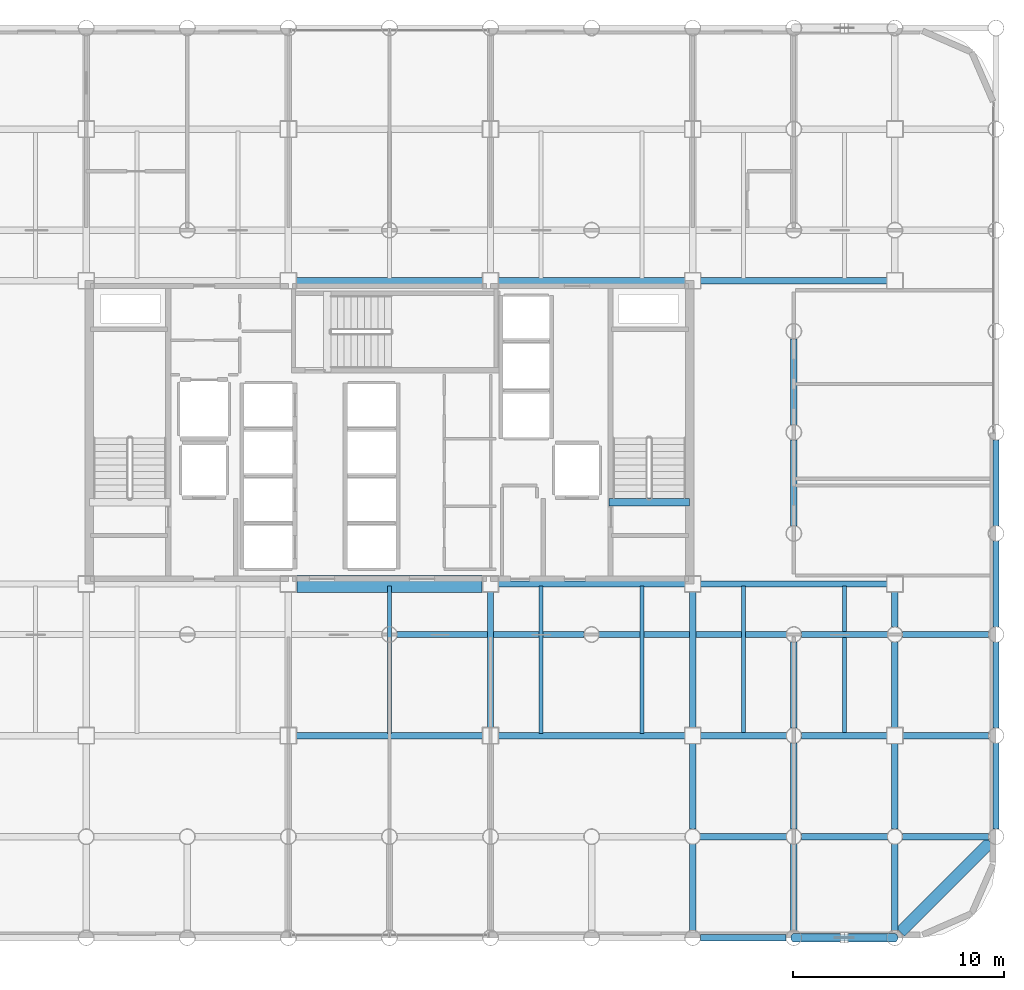
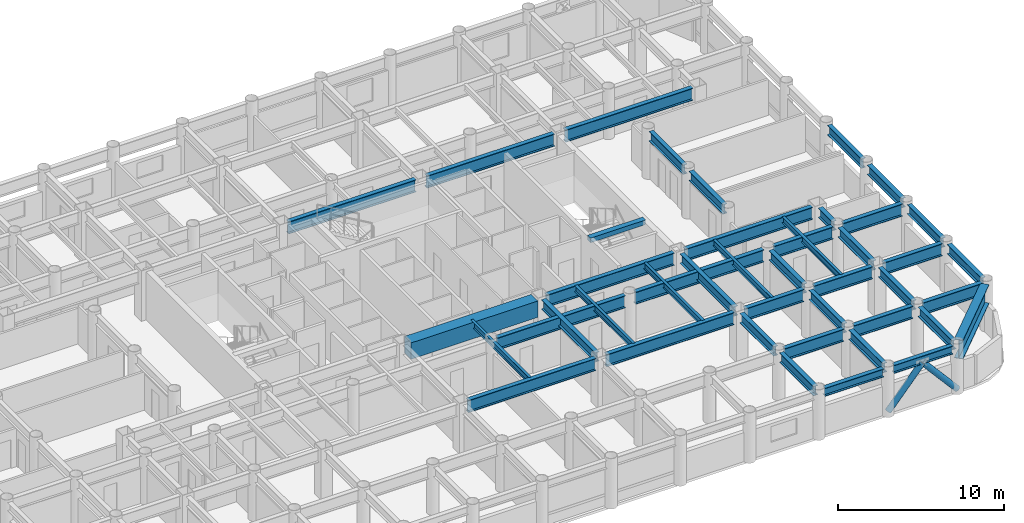
# One storey, part 7 of 21: 44 beams, 2 members.
"""IFC4 building model written with IfcOpenShell, lengths in metres."""

from ifc_helpers import new_model, si_unit, direction, frame, origin, origin_2d, place, context, subcontext, project, spatial, rectangle, hollow_circle, i_section, extrude, material, material_profile, profile_set, type_object, element, save


model = new_model("IFC4")

# Units and contexts
model_context = context("Model", 3, precision=1e-05, world=origin(), true_north=direction((0.0, 1.0)))
body_context = subcontext(model_context, "Body", "Model", "MODEL_VIEW")
ifc_project = project(units=[si_unit("LENGTHUNIT", "METRE"), si_unit("AREAUNIT", "SQUARE_METRE"), si_unit("VOLUMEUNIT", "CUBIC_METRE"), si_unit("PLANEANGLEUNIT", "RADIAN"), si_unit("MASSUNIT", "GRAM", prefix="KILO")], contexts=[model_context])

# Site, building, storey
site_placement = place(None, origin())
site = spatial("IfcSite", under=ifc_project, at=site_placement, CompositionType="ELEMENT")
building_placement = place(site_placement, origin())
building = spatial("IfcBuilding", under=site, at=building_placement, Name="Kallvorn Hotel Tower", CompositionType="ELEMENT")
storey_placement = place(building_placement, frame((0.0, 0.0, 52.199951171875)))
storey = spatial("IfcBuildingStorey", under=building, at=storey_placement, Name="L11", CompositionType="ELEMENT", Elevation=52.199951171875)

# Beams
ifc_material_1 = material(Name="Structural steel S355JR", Category="steel")
ifc_material_profile_1 = material_profile(ifc_material_1, i_section(OverallWidth=0.300048828125, OverallDepth=0.60009765625, WebThickness=0.015380859375, FlangeThickness=0.030029296875, at=origin_2d()), Name="HE 600 B")
ifc_profile_set_1 = profile_set([ifc_material_profile_1], Name="Structural steel S355JR")
beam_type_1 = type_object("IfcBeamType", Name="BM_HE600B", PredefinedType="SPANDREL", material=ifc_profile_set_1)
beam_1_placement = place(storey_placement, frame((14.77099609375, -24.0, 3.219970703125), z_axis=(1.0, 0.0, 0.0), x_axis=(0.0, 1.0, 0.0)))
element("IfcBeam", 1, at=beam_1_placement, inside=storey, type_object=beam_type_1, Name="L12 Perimeter Spandrel 160", PredefinedType="SPANDREL", context=body_context, shape_type="SweptSolid", body=[
    extrude(i_section(OverallWidth=0.300048828125, OverallDepth=0.60009765625, WebThickness=0.015380859375, FlangeThickness=0.030029296875, at=origin_2d()), origin(), (0.0, 0.0, 1.0), 4.05810546875),
])
beam_2_placement = place(storey_placement, frame((19.571044921875, -24.0, 3.219970703125), z_axis=(1.0, 0.0, 0.0), x_axis=(0.0, 1.0, 0.0)))
element("IfcBeam", 2, at=beam_2_placement, inside=storey, type_object=beam_type_1, Name="L12 Perimeter Spandrel 161", PredefinedType="SPANDREL", context=body_context, shape_type="SweptSolid", body=[
    extrude(i_section(OverallWidth=0.300048828125, OverallDepth=0.60009765625, WebThickness=0.015380859375, FlangeThickness=0.030029296875, at=origin_2d()), origin(), (0.0, 0.0, 1.0), 4.057861328125),
])
ifc_material_2 = material(Name="Structural steel S355JR", Category="steel")
ifc_material_profile_2 = material_profile(ifc_material_2, i_section(OverallWidth=0.300048828125, OverallDepth=0.699951171875, WebThickness=0.01708984375, FlangeThickness=0.031982421875, at=origin_2d()), Name="HE 700 B")
ifc_profile_set_2 = profile_set([ifc_material_profile_2], Name="Structural steel S355JR")
beam_type_2 = type_object("IfcBeamType", Name="BM_HE700B", PredefinedType="BEAM", material=ifc_profile_set_2)
beam_3_placement = place(storey_placement, frame((4.800048828125, -14.02490234375, 3.170166015625), z_axis=(0.0, 1.0, 0.0), x_axis=(-1.0, 0.0, 0.0)))
element("IfcBeam", 3, at=beam_3_placement, inside=storey, type_object=beam_type_2, Name="L12 Primary Y-Girder 116", PredefinedType="BEAM", context=body_context, shape_type="SweptSolid", body=[
    extrude(i_section(OverallWidth=0.300048828125, OverallDepth=0.699951171875, WebThickness=0.01708984375, FlangeThickness=0.031982421875, at=origin_2d()), origin(), (0.0, 0.0, 1.0), 6.449951171875),
])
beam_4_placement = place(storey_placement, frame((14.39990234375, -23.64404296875, 3.170166015625), z_axis=(0.0, 1.0, 0.0), x_axis=(-1.0, 0.0, 0.0)))
element("IfcBeam", 4, at=beam_4_placement, inside=storey, type_object=beam_type_2, Name="L12 Primary Y-Girder 122", PredefinedType="BEAM", context=body_context, shape_type="SweptSolid", body=[
    extrude(i_section(OverallWidth=0.300048828125, OverallDepth=0.699951171875, WebThickness=0.01708984375, FlangeThickness=0.031982421875, at=origin_2d()), origin(), (0.0, 0.0, 1.0), 4.088134765625),
])
beam_5_placement = place(storey_placement, frame((14.39990234375, -18.843994140625, 3.170166015625), z_axis=(0.0, 1.0, 0.0), x_axis=(-1.0, 0.0, 0.0)))
element("IfcBeam", 5, at=beam_5_placement, inside=storey, type_object=beam_type_2, Name="L12 Primary Y-Girder 123", PredefinedType="BEAM", context=body_context, shape_type="SweptSolid", body=[
    extrude(i_section(OverallWidth=0.300048828125, OverallDepth=0.699951171875, WebThickness=0.01708984375, FlangeThickness=0.031982421875, at=origin_2d()), origin(), (0.0, 0.0, 1.0), 4.069091796875),
])
beam_6_placement = place(storey_placement, frame((14.39990234375, -14.02490234375, 3.170166015625), z_axis=(0.0, 1.0, 0.0), x_axis=(-1.0, 0.0, 0.0)))
element("IfcBeam", 6, at=beam_6_placement, inside=storey, type_object=beam_type_2, Name="L12 Primary Y-Girder 124", PredefinedType="BEAM", context=body_context, shape_type="SweptSolid", body=[
    extrude(i_section(OverallWidth=0.300048828125, OverallDepth=0.699951171875, WebThickness=0.01708984375, FlangeThickness=0.031982421875, at=origin_2d()), origin(), (0.0, 0.0, 1.0), 6.449951171875),
])
beam_7_placement = place(storey_placement, frame((19.199951171875, -23.64404296875, 3.170166015625), z_axis=(0.0, 1.0, 0.0), x_axis=(-1.0, 0.0, 0.0)))
element("IfcBeam", 7, at=beam_7_placement, inside=storey, type_object=beam_type_2, Name="L12 Primary Y-Girder 127", PredefinedType="BEAM", context=body_context, shape_type="SweptSolid", body=[
    extrude(i_section(OverallWidth=0.300048828125, OverallDepth=0.699951171875, WebThickness=0.01708984375, FlangeThickness=0.031982421875, at=origin_2d()), origin(), (0.0, 0.0, 1.0), 4.088134765625),
])
for number, where, z_axis, x_axis, name in (
    (8, (19.199951171875, -18.843994140625, 3.170166015625), (0.0, 1.0, 0.0), (-1.0, 0.0, 0.0), "L12 Primary Y-Girder 128"),
    (9, (19.199951171875, -14.0439453125, 3.170166015625), (0.0, 1.0, 0.0), (-1.0, 0.0, 0.0), "L12 Primary Y-Girder 129"),
):
    element("IfcBeam", number, at=place(storey_placement, frame(where, z_axis=z_axis, x_axis=x_axis)), inside=storey, type_object=beam_type_2, Name=name, PredefinedType="BEAM", context=body_context, shape_type="SweptSolid", body=[
        extrude(i_section(OverallWidth=0.300048828125, OverallDepth=0.699951171875, WebThickness=0.01708984375, FlangeThickness=0.031982421875, at=origin_2d()), origin(), (0.0, 0.0, 1.0), 4.087890625),
    ])
for number, where, z_axis, x_axis, name in (
    (10, (19.199951171875, -4.444091796875, 3.170166015625), (0.0, 1.0, 0.0), (-1.0, 0.0, 0.0), "L12 Primary Y-Girder 131"),
    (11, (19.199951171875, 0.35595703125, 3.170166015625), (0.0, 1.0, 0.0), (-1.0, 0.0, 0.0), "L12 Primary Y-Girder 132"),
    (12, (24.0, -23.64404296875, 3.170166015625), (0.0, 1.0, 0.0), (-1.0, 0.0, 0.0), "L12 Primary Y-Girder 136"),
):
    element("IfcBeam", number, at=place(storey_placement, frame(where, z_axis=z_axis, x_axis=x_axis)), inside=storey, type_object=beam_type_2, Name=name, PredefinedType="BEAM", context=body_context, shape_type="SweptSolid", body=[
        extrude(i_section(OverallWidth=0.300048828125, OverallDepth=0.699951171875, WebThickness=0.01708984375, FlangeThickness=0.031982421875, at=origin_2d()), origin(), (0.0, 0.0, 1.0), 4.088134765625),
    ])
beam_8_placement = place(storey_placement, frame((24.0, -18.843994140625, 3.170166015625), z_axis=(0.0, 1.0, 0.0), x_axis=(-1.0, 0.0, 0.0)))
element("IfcBeam", 13, at=beam_8_placement, inside=storey, type_object=beam_type_2, Name="L12 Primary Y-Girder 137", PredefinedType="BEAM", context=body_context, shape_type="SweptSolid", body=[
    extrude(i_section(OverallWidth=0.300048828125, OverallDepth=0.699951171875, WebThickness=0.01708984375, FlangeThickness=0.031982421875, at=origin_2d()), origin(), (0.0, 0.0, 1.0), 4.069091796875),
])
beam_9_placement = place(storey_placement, frame((24.0, -14.02490234375, 3.170166015625), z_axis=(0.0, 1.0, 0.0), x_axis=(-1.0, 0.0, 0.0)))
element("IfcBeam", 14, at=beam_9_placement, inside=storey, type_object=beam_type_2, Name="L12 Primary Y-Girder 138", PredefinedType="BEAM", context=body_context, shape_type="SweptSolid", body=[
    extrude(i_section(OverallWidth=0.300048828125, OverallDepth=0.699951171875, WebThickness=0.01708984375, FlangeThickness=0.031982421875, at=origin_2d()), origin(), (0.0, 0.0, 1.0), 4.06884765625),
])
beam_10_placement = place(storey_placement, frame((24.0, -9.243896484375, 3.170166015625), z_axis=(0.0, 1.0, 0.0), x_axis=(-1.0, 0.0, 0.0)))
element("IfcBeam", 15, at=beam_10_placement, inside=storey, type_object=beam_type_2, Name="L12 Primary Y-Girder 139", PredefinedType="BEAM", context=body_context, shape_type="SweptSolid", body=[
    extrude(i_section(OverallWidth=0.300048828125, OverallDepth=0.699951171875, WebThickness=0.01708984375, FlangeThickness=0.031982421875, at=origin_2d()), origin(), (0.0, 0.0, 1.0), 1.6689453125),
])
for number, where, z_axis, x_axis, name in (
    (16, (28.800048828125, -18.843994140625, 3.170166015625), (0.0, 1.0, 0.0), (-1.0, 0.0, 0.0), "L12 Primary Y-Girder 143"),
    (17, (28.800048828125, -14.0439453125, 3.170166015625), (0.0, 1.0, 0.0), (-1.0, 0.0, 0.0), "L12 Primary Y-Girder 144"),
    (18, (28.800048828125, -9.243896484375, 3.170166015625), (0.0, 1.0, 0.0), (-1.0, 0.0, 0.0), "L12 Primary Y-Girder 145"),
):
    element("IfcBeam", number, at=place(storey_placement, frame(where, z_axis=z_axis, x_axis=x_axis)), inside=storey, type_object=beam_type_2, Name=name, PredefinedType="BEAM", context=body_context, shape_type="SweptSolid", body=[
        extrude(i_section(OverallWidth=0.300048828125, OverallDepth=0.699951171875, WebThickness=0.01708984375, FlangeThickness=0.031982421875, at=origin_2d()), origin(), (0.0, 0.0, 1.0), 4.087890625),
    ])
beam_11_placement = place(storey_placement, frame((28.800048828125, -4.444091796875, 3.170166015625), z_axis=(0.0, 1.0, 0.0), x_axis=(-1.0, 0.0, 0.0)))
element("IfcBeam", 19, at=beam_11_placement, inside=storey, type_object=beam_type_2, Name="L12 Primary Y-Girder 146", PredefinedType="BEAM", context=body_context, shape_type="SweptSolid", body=[
    extrude(i_section(OverallWidth=0.300048828125, OverallDepth=0.699951171875, WebThickness=0.01708984375, FlangeThickness=0.031982421875, at=origin_2d()), origin(), (0.0, 0.0, 1.0), 4.088134765625),
])
ifc_material_3 = material(Name="Structural steel S355JR", Category="steel")
ifc_material_profile_3 = material_profile(ifc_material_3, i_section(OverallWidth=0.300048828125, OverallDepth=0.89990234375, WebThickness=0.0185546875, FlangeThickness=0.034912109375, at=origin_2d()), Name="HE 900 B")
ifc_profile_set_3 = profile_set([ifc_material_profile_3], Name="Structural steel S355JR")
beam_type_3 = type_object("IfcBeamType", Name="BM_HE900B", PredefinedType="BEAM", material=ifc_profile_set_3)
beam_12_placement = place(storey_placement, frame((14.756103515625, -19.199951171875, 3.070068359375), z_axis=(1.0, 0.0, 0.0), x_axis=(0.0, 1.0, 0.0)))
element("IfcBeam", 20, at=beam_12_placement, inside=storey, type_object=beam_type_3, Name="L12 Primary X-Girder 11", PredefinedType="BEAM", context=body_context, shape_type="SweptSolid", body=[
    extrude(i_section(OverallWidth=0.300048828125, OverallDepth=0.89990234375, WebThickness=0.0185546875, FlangeThickness=0.034912109375, at=origin_2d()), origin(), (0.0, 0.0, 1.0), 4.087890625),
])
for number, where, z_axis, x_axis, name in (
    (21, (19.555908203125, -19.199951171875, 3.070068359375), (1.0, 0.0, 0.0), (0.0, 1.0, 0.0), "L12 Primary X-Girder 12"),
    (22, (24.35595703125, -19.199951171875, 3.070068359375), (1.0, 0.0, 0.0), (0.0, 1.0, 0.0), "L12 Primary X-Girder 13"),
):
    element("IfcBeam", number, at=place(storey_placement, frame(where, z_axis=z_axis, x_axis=x_axis)), inside=storey, type_object=beam_type_3, Name=name, PredefinedType="BEAM", context=body_context, shape_type="SweptSolid", body=[
        extrude(i_section(OverallWidth=0.300048828125, OverallDepth=0.89990234375, WebThickness=0.0185546875, FlangeThickness=0.034912109375, at=origin_2d()), origin(), (0.0, 0.0, 1.0), 4.088134765625),
    ])
beam_13_placement = place(storey_placement, frame((-4.425048828125, -14.39990234375, 3.070068359375), z_axis=(1.0, 0.0, 0.0), x_axis=(0.0, 1.0, 0.0)))
element("IfcBeam", 23, at=beam_13_placement, inside=storey, type_object=beam_type_3, Name="L12 Primary X-Girder 19", PredefinedType="BEAM", context=body_context, shape_type="SweptSolid", body=[
    extrude(i_section(OverallWidth=0.300048828125, OverallDepth=0.89990234375, WebThickness=0.0185546875, FlangeThickness=0.034912109375, at=origin_2d()), origin(), (0.0, 0.0, 1.0), 8.85009765625),
])
beam_14_placement = place(storey_placement, frame((5.175048828125, -14.39990234375, 3.070068359375), z_axis=(1.0, 0.0, 0.0), x_axis=(0.0, 1.0, 0.0)))
element("IfcBeam", 24, at=beam_14_placement, inside=storey, type_object=beam_type_3, Name="L12 Primary X-Girder 20", PredefinedType="BEAM", context=body_context, shape_type="SweptSolid", body=[
    extrude(i_section(OverallWidth=0.300048828125, OverallDepth=0.89990234375, WebThickness=0.0185546875, FlangeThickness=0.034912109375, at=origin_2d()), origin(), (0.0, 0.0, 1.0), 8.849853515625),
])
for number, where, z_axis, x_axis, name in (
    (25, (14.77490234375, -14.39990234375, 3.070068359375), (1.0, 0.0, 0.0), (0.0, 1.0, 0.0), "L12 Primary X-Girder 21"),
    (26, (19.555908203125, -14.39990234375, 3.070068359375), (1.0, 0.0, 0.0), (0.0, 1.0, 0.0), "L12 Primary X-Girder 22"),
    (27, (24.375, -14.39990234375, 3.070068359375), (1.0, 0.0, 0.0), (0.0, 1.0, 0.0), "L12 Primary X-Girder 23"),
):
    element("IfcBeam", number, at=place(storey_placement, frame(where, z_axis=z_axis, x_axis=x_axis)), inside=storey, type_object=beam_type_3, Name=name, PredefinedType="BEAM", context=body_context, shape_type="SweptSolid", body=[
        extrude(i_section(OverallWidth=0.300048828125, OverallDepth=0.89990234375, WebThickness=0.0185546875, FlangeThickness=0.034912109375, at=origin_2d()), origin(), (0.0, 0.0, 1.0), 4.069091796875),
    ])
for number, where, z_axis, x_axis, name in (
    (28, (0.35595703125, -9.60009765625, 3.070068359375), (1.0, 0.0, 0.0), (0.0, 1.0, 0.0), "L12 Primary X-Girder 29"),
    (29, (9.9560546875, -9.60009765625, 3.070068359375), (1.0, 0.0, 0.0), (0.0, 1.0, 0.0), "L12 Primary X-Girder 30"),
):
    element("IfcBeam", number, at=place(storey_placement, frame(where, z_axis=z_axis, x_axis=x_axis)), inside=storey, type_object=beam_type_3, Name=name, PredefinedType="BEAM", context=body_context, shape_type="SweptSolid", body=[
        extrude(i_section(OverallWidth=0.300048828125, OverallDepth=0.89990234375, WebThickness=0.0185546875, FlangeThickness=0.034912109375, at=origin_2d()), origin(), (0.0, 0.0, 1.0), 8.887939453125),
    ])
for number, where, z_axis, x_axis, name in (
    (30, (19.555908203125, -9.60009765625, 3.070068359375), (1.0, 0.0, 0.0), (0.0, 1.0, 0.0), "L12 Primary X-Girder 31"),
    (31, (24.35595703125, -9.60009765625, 3.070068359375), (1.0, 0.0, 0.0), (0.0, 1.0, 0.0), "L12 Primary X-Girder 32"),
):
    element("IfcBeam", number, at=place(storey_placement, frame(where, z_axis=z_axis, x_axis=x_axis)), inside=storey, type_object=beam_type_3, Name=name, PredefinedType="BEAM", context=body_context, shape_type="SweptSolid", body=[
        extrude(i_section(OverallWidth=0.300048828125, OverallDepth=0.89990234375, WebThickness=0.0185546875, FlangeThickness=0.034912109375, at=origin_2d()), origin(), (0.0, 0.0, 1.0), 4.088134765625),
    ])
beam_15_placement = place(storey_placement, frame((5.175048828125, -7.199951171875, 3.070068359375), z_axis=(1.0, 0.0, 0.0), x_axis=(0.0, 1.0, 0.0)))
element("IfcBeam", 32, at=beam_15_placement, inside=storey, type_object=beam_type_3, Name="L12 Primary X-Girder 35", PredefinedType="BEAM", context=body_context, shape_type="SweptSolid", body=[
    extrude(i_section(OverallWidth=0.300048828125, OverallDepth=0.89990234375, WebThickness=0.0185546875, FlangeThickness=0.034912109375, at=origin_2d()), origin(), (0.0, 0.0, 1.0), 8.849853515625),
])
for number, where, z_axis, x_axis, name in (
    (33, (14.77490234375, -7.199951171875, 3.070068359375), (1.0, 0.0, 0.0), (0.0, 1.0, 0.0), "L12 Primary X-Girder 36"),
    (34, (-4.425048828125, 7.199951171875, 3.070068359375), (1.0, 0.0, 0.0), (0.0, 1.0, 0.0), "L12 Primary X-Girder 39"),
):
    element("IfcBeam", number, at=place(storey_placement, frame(where, z_axis=z_axis, x_axis=x_axis)), inside=storey, type_object=beam_type_3, Name=name, PredefinedType="BEAM", context=body_context, shape_type="SweptSolid", body=[
        extrude(i_section(OverallWidth=0.300048828125, OverallDepth=0.89990234375, WebThickness=0.0185546875, FlangeThickness=0.034912109375, at=origin_2d()), origin(), (0.0, 0.0, 1.0), 8.85009765625),
    ])
beam_16_placement = place(storey_placement, frame((5.175048828125, 7.199951171875, 3.070068359375), z_axis=(1.0, 0.0, 0.0), x_axis=(0.0, 1.0, 0.0)))
element("IfcBeam", 35, at=beam_16_placement, inside=storey, type_object=beam_type_3, Name="L12 Primary X-Girder 40", PredefinedType="BEAM", context=body_context, shape_type="SweptSolid", body=[
    extrude(i_section(OverallWidth=0.300048828125, OverallDepth=0.89990234375, WebThickness=0.0185546875, FlangeThickness=0.034912109375, at=origin_2d()), origin(), (0.0, 0.0, 1.0), 8.849853515625),
])
beam_17_placement = place(storey_placement, frame((14.77490234375, 7.199951171875, 3.070068359375), z_axis=(1.0, 0.0, 0.0), x_axis=(0.0, 1.0, 0.0)))
element("IfcBeam", 36, at=beam_17_placement, inside=storey, type_object=beam_type_3, Name="L12 Primary X-Girder 41", PredefinedType="BEAM", context=body_context, shape_type="SweptSolid", body=[
    extrude(i_section(OverallWidth=0.300048828125, OverallDepth=0.89990234375, WebThickness=0.0185546875, FlangeThickness=0.034912109375, at=origin_2d()), origin(), (0.0, 0.0, 1.0), 8.85009765625),
])
ifc_material_4 = material(Name="Structural steel S355JR", Category="steel")
ifc_material_profile_4 = material_profile(ifc_material_4, i_section(OverallWidth=0.18994140625, OverallDepth=0.449951171875, WebThickness=0.009521484375, FlangeThickness=0.0146484375, at=origin_2d()), Name="IPE 450")
ifc_profile_set_4 = profile_set([ifc_material_profile_4], Name="Structural steel S355JR")
beam_type_4 = type_object("IfcBeamType", Name="BM_IPE450", PredefinedType="JOIST", material=ifc_profile_set_4)
for number, where, z_axis, x_axis, name in (
    (37, (0.0, -14.300048828125, 3.295166015625), (0.0, 1.0, 0.0), (-1.0, 0.0, 0.0), "L12 Secondary Composite Joist 200"),
    (38, (7.199951171875, -14.300048828125, 3.295166015625), (0.0, 1.0, 0.0), (-1.0, 0.0, 0.0), "L12 Secondary Composite Joist 202"),
    (39, (12.0, -14.300048828125, 3.295166015625), (0.0, 1.0, 0.0), (-1.0, 0.0, 0.0), "L12 Secondary Composite Joist 204"),
    (40, (16.800048828125, -14.300048828125, 3.295166015625), (0.0, 1.0, 0.0), (-1.0, 0.0, 0.0), "L12 Secondary Composite Joist 206"),
    (41, (21.60009765625, -14.300048828125, 3.295166015625), (0.0, 1.0, 0.0), (-1.0, 0.0, 0.0), "L12 Secondary Composite Joist 208"),
):
    element("IfcBeam", number, at=place(storey_placement, frame(where, z_axis=z_axis, x_axis=x_axis)), inside=storey, type_object=beam_type_4, Name=name, PredefinedType="JOIST", context=body_context, shape_type="SweptSolid", body=[
        extrude(i_section(OverallWidth=0.18994140625, OverallDepth=0.449951171875, WebThickness=0.009521484375, FlangeThickness=0.0146484375, at=origin_2d()), origin(), (0.0, 0.0, 1.0), 7.0),
    ])
ifc_material_5 = material(Name="Structural steel S355JR", Category="steel")
ifc_material_profile_5 = material_profile(ifc_material_5, i_section(OverallWidth=0.550048828125, OverallDepth=1.39990234375, WebThickness=0.02490234375, FlangeThickness=0.044921875, at=origin_2d()), Name="PG 1400x550x25x45")
ifc_profile_set_5 = profile_set([ifc_material_profile_5], Name="Structural steel S355JR")
beam_type_5 = type_object("IfcBeamType", Name="BM_PG_1400", PredefinedType="BEAM", material=ifc_profile_set_5)
beam_18_placement = place(storey_placement, frame((28.53759765625, -19.46240234375, 2.820068359375), z_axis=(-0.707106781187, -0.707106781187, 0.0), x_axis=(0.707106781187, -0.707106781187, 0.0)))
element("IfcBeam", 42, at=beam_18_placement, inside=storey, type_object=beam_type_5, Name="L12 Rounded Corner Tie Beam 191", PredefinedType="BEAM", context=body_context, shape_type="SweptSolid", body=[
    extrude(i_section(OverallWidth=0.550048828125, OverallDepth=1.39990234375, WebThickness=0.02490234375, FlangeThickness=0.044921875, at=origin_2d()), origin(), (0.0, 0.0, 1.0), 6.04638671875),
])
ifc_material_6 = material(Name="Concrete C50/60", Category="concrete")
ifc_material_profile_6 = material_profile(ifc_material_6, rectangle(XDim=0.360107421875, YDim=0.340087890625, at=origin_2d()), Name="RC 360x340")
ifc_profile_set_6 = profile_set([ifc_material_profile_6], Name="Concrete C50/60")
beam_type_6 = type_object("IfcBeamType", Name="BM_RC_400x360", PredefinedType="BEAM", material=ifc_profile_set_6)
beam_19_placement = place(storey_placement, frame((14.239990234375, -3.31005859375, 3.35009765625), z_axis=(-1.0, 0.0, 0.0), x_axis=(0.0, -1.0, 0.0)))
element("IfcBeam", 43, at=beam_19_placement, inside=storey, type_object=beam_type_6, Name="L12 Stair ST2 Arrival Trimmer Beam", PredefinedType="BEAM", context=body_context, shape_type="SweptSolid", body=[
    extrude(rectangle(XDim=0.360107421875, YDim=0.340087890625, at=origin_2d()), origin(), (0.0, 0.0, 1.0), 3.820068359375),
])
ifc_material_7 = material(Name="Concrete C50/60", Category="concrete")
ifc_material_profile_7 = material_profile(ifc_material_7, rectangle(XDim=0.800048828125, YDim=1.199951171875, at=origin_2d()), Name="RC 800x1200")
ifc_profile_set_7 = profile_set([ifc_material_profile_7], Name="Concrete C50/60")
beam_type_7 = type_object("IfcBeamType", Name="BM_RC_800x1200", PredefinedType="T_BEAM", material=ifc_profile_set_7)
beam_20_placement = place(storey_placement, frame((-4.39990234375, -7.199951171875, 2.920166015625), z_axis=(1.0, 0.0, 0.0), x_axis=(0.0, 1.0, 0.0)))
element("IfcBeam", 44, at=beam_20_placement, inside=storey, type_object=beam_type_7, Name="L11 Core Coupling Beam South", PredefinedType="T_BEAM", context=body_context, shape_type="SweptSolid", body=[
    extrude(rectangle(XDim=0.800048828125, YDim=1.199951171875, at=origin_2d()), origin(), (0.0, 0.0, 1.0), 8.7998046875),
])

# Members
ifc_material_8 = material(Name="Structural steel S355J2H", Category="steel")
ifc_material_profile_8 = material_profile(ifc_material_8, hollow_circle(Radius=0.203125, WallThickness=0.01611328125, at=origin_2d()), Name="CHS 406.4x16")
ifc_profile_set_8 = profile_set([ifc_material_profile_8], Name="Structural steel S355J2H")
member_type = type_object("IfcMemberType", Name="MBR_EXO_CHS406", PredefinedType="BRACE", material=ifc_profile_set_8)
for number, where, z_axis, x_axis, name in (
    (45, (19.213134765625, -24.0, 0.195068359375), (0.653427382465, 0.0, 0.756989204576), (0.0, 1.0, 0.0), "L11 Exoskeleton K-Brace S2A"),
    (46, (23.98681640625, -24.0, 0.195068359375), (-0.653427382465, 0.0, 0.756989204576), (0.0, -1.0, 0.0), "L11 Exoskeleton K-Brace S2B"),
):
    element("IfcMember", number, at=place(storey_placement, frame(where, z_axis=z_axis, x_axis=x_axis)), inside=storey, type_object=member_type, Name=name, PredefinedType="BRACE", context=body_context, shape_type="SweptSolid", body=[
        extrude(hollow_circle(Radius=0.203125, WallThickness=0.01611328125, at=origin_2d()), origin(), (0.0, 0.0, 1.0), 3.6328125),
    ])

save(model, "model.ifc")
